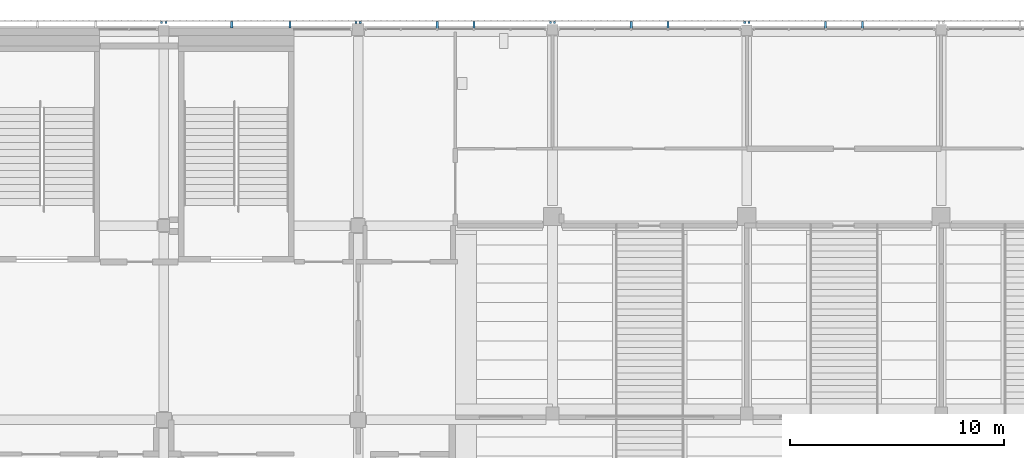
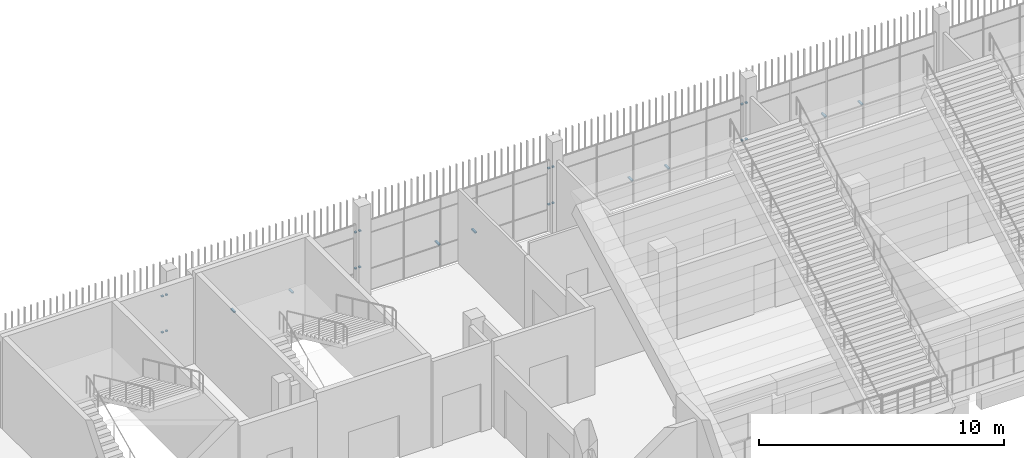
# One storey, part 106 of 139: 24 discrete accessories.
"""IFC4 building model written with IfcOpenShell, lengths in metres."""

import ifcopenshell
import ifcopenshell.guid

model = None  # the IFC model being written
_history = None  # IfcOwnerHistory: only IFC2X3 demands one
_inside = {}  # id of a spatial element -> (the spatial element, [elements in it])
_under = {}  # id of a project, library or spatial element -> (it, [spatial elements below it])
_declared = {}  # id of a project -> (the project, [libraries it declares])
_typed = {}  # id of a type object -> (the type object, [elements of that type])
_made_of = {}  # id of a material, layer set ... -> (it, [elements and type objects made of it])


def new_model(schema):
    """Start an empty IFC model of exactly this schema.

    Asked for "IFC4X3", IfcOpenShell would pick the latest addendum, in which some entities
    have other attributes; the version numbers below select the first issue.
    IFC2X3 requires an IfcOwnerHistory on every rooted entity: one is made here for all.
    """
    global model, _history
    if schema == "IFC4X3":
        model = ifcopenshell.file(schema_version=(4, 3, 0, 0))
    else:
        model = ifcopenshell.file(schema=schema)
    _inside.clear()
    _under.clear()
    _declared.clear()
    _typed.clear()
    _made_of.clear()
    _history = None
    if model.schema == "IFC2X3":
        org = make("IfcOrganization", Name="unknown")
        user = make(
            "IfcPersonAndOrganization",
            ThePerson=make("IfcPerson", FamilyName="unknown"),
            TheOrganization=org,
        )
        app = make(
            "IfcApplication",
            ApplicationDeveloper=org,
            Version="unknown",
            ApplicationFullName="unknown",
            ApplicationIdentifier="unknown",
        )
        _history = make(
            "IfcOwnerHistory",
            OwningUser=user,
            OwningApplication=app,
            ChangeAction="ADDED",
            CreationDate=0,
        )
    return model


def make(cls, **values):
    """One entity of the class cls with the attributes given. An attribute that is None is left unset."""
    return model.create_entity(
        cls, **{name: value for name, value in values.items() if value is not None}
    )


def rooted(cls, **values):
    """An entity with a GlobalId (a new one), such as an element, a storey or a relation."""
    return make(cls, GlobalId=ifcopenshell.guid.new(), OwnerHistory=_history, **values)


def si_unit(unit_type, name, prefix=None):
    """IfcSIUnit, for example si_unit("LENGTHUNIT", "METRE", prefix="MILLI")."""
    return make("IfcSIUnit", UnitType=unit_type, Prefix=prefix, Name=name)


def assignment(units):
    """IfcUnitAssignment: the units of a project."""
    return None if units is None else make("IfcUnitAssignment", Units=units)


def point(xyz):
    """IfcCartesianPoint."""
    return None if xyz is None else make("IfcCartesianPoint", Coordinates=xyz)


def direction(xyz):
    """IfcDirection."""
    return None if xyz is None else make("IfcDirection", DirectionRatios=xyz)


def frame(location, z_axis=None, x_axis=None):
    """IfcAxis2Placement3D, a coordinate frame: its origin and axes. An axis left out is left unset."""
    return make(
        "IfcAxis2Placement3D",
        Location=point(location),
        Axis=direction(z_axis),
        RefDirection=direction(x_axis),
    )


def frame_2d(location, x_axis=None):
    """IfcAxis2Placement2D, a coordinate frame in the plane: its origin and x axis."""
    return make(
        "IfcAxis2Placement2D", Location=point(location), RefDirection=direction(x_axis)
    )


def origin():
    """The frame at (0, 0, 0) with its axes left unset."""
    return frame((0.0, 0.0, 0.0))


def origin_2d():
    """The frame at (0, 0) in the plane with its x axis left unset."""
    return frame_2d((0.0, 0.0))


def place(relative_to, where):
    """IfcLocalPlacement: puts the frame where relative to a parent placement (None: the world)."""
    return make(
        "IfcLocalPlacement", PlacementRelTo=relative_to, RelativePlacement=where
    )


def context(
    kind, dimensions, precision=None, world=None, true_north=None, identifier=None
):
    """IfcGeometricRepresentationContext, for example the 3D "Model" context."""
    return make(
        "IfcGeometricRepresentationContext",
        ContextIdentifier=identifier,
        ContextType=kind,
        CoordinateSpaceDimension=dimensions,
        Precision=precision,
        WorldCoordinateSystem=world,
        TrueNorth=true_north,
    )


def subcontext(parent, identifier, kind, view, scale=None):
    """IfcGeometricRepresentationSubContext, for example "Body" below "Model"."""
    return make(
        "IfcGeometricRepresentationSubContext",
        ContextIdentifier=identifier,
        ContextType=kind,
        ParentContext=parent,
        TargetScale=scale,
        TargetView=view,
    )


def project(units=None, contexts=None):
    """IfcProject with its units and contexts."""
    return rooted(
        "IfcProject",
        Name="project",
        RepresentationContexts=contexts,
        UnitsInContext=assignment(units),
    )


def spatial(cls, under=None, at=None, **own):
    """A site, building, storey or space (cls), placed at a placement, below another one or the project."""
    s = rooted(cls, ObjectPlacement=at, **own)
    if under is not None:
        _under.setdefault(under.id(), (under, []))[1].append(s)
    return s


def profile(cls, at=None, kind="AREA", **sizes):
    """A parametric profile (cls). Its sizes go by their IFC names, for example OverallWidth=200.0."""
    return make(cls, ProfileType=kind, Position=at, **sizes)


def rectangle(**sizes):
    """IfcRectangleProfileDef."""
    return profile("IfcRectangleProfileDef", **sizes)


def extrude(swept, where, along, depth):
    """IfcExtrudedAreaSolid: the profile swept, set in the frame where, extruded along a direction by depth."""
    return make(
        "IfcExtrudedAreaSolid",
        SweptArea=swept,
        Position=where,
        ExtrudedDirection=direction(along),
        Depth=depth,
    )


def shape(context_of_items, identifier, shape_type, items):
    """IfcShapeRepresentation: the items that make up one representation, for example the "Body"."""
    return make(
        "IfcShapeRepresentation",
        ContextOfItems=context_of_items,
        RepresentationIdentifier=identifier,
        RepresentationType=shape_type,
        Items=items,
    )


def material(Name=None, Category=None):
    """IfcMaterial."""
    return make("IfcMaterial", Name=Name, Category=Category)


def made_of(thing, what):
    """Note that an element or type object is made of a material, layer set ...; save() writes the relation."""
    if what is not None:
        _made_of.setdefault(what.id(), (what, []))[1].append(thing)
    return thing


def type_object(cls, material=None, **own):
    """A type object (cls), such as IfcWallType, which elements share."""
    return made_of(rooted(cls, **own), material)


def element(
    cls,
    number,
    at=None,
    inside=None,
    cuts=None,
    type_object=None,
    material=None,
    context=None,
    identifier="Body",
    shape_type=None,
    held_by="IfcProductDefinitionShape",
    body=None,
    shapes=None,
    **own,
):
    """One element of the class cls, such as IfcWall. Its Tag is "e" and its number.

    at: its placement. inside: the storey or other place that contains it. cuts: it is an
    opening in that element (IfcRelVoidsElement). A single representation is given by context,
    identifier, shape_type and body (its items); several are given by shapes. held_by: the class
    of the entity that holds the representations. save() writes the other relations.
    """
    e = rooted(cls, Tag="e%d" % number, ObjectPlacement=at, **own)
    if body is not None:
        shapes = [shape(context, identifier, shape_type, body)]
    if shapes is not None:
        e.Representation = make(held_by, Representations=shapes)
    if inside is not None:
        _inside.setdefault(inside.id(), (inside, []))[1].append(e)
    if cuts is not None:
        rooted(
            "IfcRelVoidsElement", RelatingBuildingElement=cuts, RelatedOpeningElement=e
        )
    if type_object is not None:
        _typed.setdefault(type_object.id(), (type_object, []))[1].append(e)
    return made_of(e, material)


def aggregate(whole, parts):
    """IfcRelAggregates: a whole, such as a stair, and the parts it consists of."""
    return rooted("IfcRelAggregates", RelatingObject=whole, RelatedObjects=parts)


def save(model, path):
    """Write the relations noted so far, then the file.

    IfcRelAggregates (storeys below a building ...), IfcRelContainedInSpatialStructure (elements
    in a storey), IfcRelDefinesByType, IfcRelAssociatesMaterial and IfcRelDeclares: one each for
    every whole, place, type object, material and project.
    """
    for whole, parts in _under.values():
        aggregate(whole, parts)
    for where, things in _inside.values():
        rooted(
            "IfcRelContainedInSpatialStructure",
            RelatedElements=things,
            RelatingStructure=where,
        )
    for kind, things in _typed.values():
        rooted("IfcRelDefinesByType", RelatedObjects=things, RelatingType=kind)
    for what, things in _made_of.values():
        rooted("IfcRelAssociatesMaterial", RelatedObjects=things, RelatingMaterial=what)
    for by, libraries in _declared.values():
        rooted("IfcRelDeclares", RelatingContext=by, RelatedDefinitions=libraries)
    model.write(path)


model = new_model("IFC4")

# Units and contexts
model_context = context("Model", 3, precision=1e-05, world=origin(), true_north=direction((0.0, 1.0)))
body_context = subcontext(model_context, "Body", "Model", "MODEL_VIEW")
ifc_project = project(units=[si_unit("LENGTHUNIT", "METRE"), si_unit("AREAUNIT", "SQUARE_METRE"), si_unit("VOLUMEUNIT", "CUBIC_METRE"), si_unit("PLANEANGLEUNIT", "RADIAN"), si_unit("MASSUNIT", "GRAM", prefix="KILO")], contexts=[model_context])

# Site, building, storey
site_placement = place(None, origin())
site = spatial("IfcSite", under=ifc_project, at=site_placement, CompositionType="ELEMENT")
building_placement = place(site_placement, origin())
building = spatial("IfcBuilding", under=site, at=building_placement, Name="Shirokan Park Arena", CompositionType="ELEMENT")
storey_placement = place(building_placement, frame((0.0, 0.0, 15.469970703125)))
storey = spatial("IfcBuildingStorey", under=building, at=storey_placement, Name="L03", CompositionType="ELEMENT", Elevation=15.469970703125)

# Discrete accessories
ifc_material = material(Name="Steel S355", Category="steel")
discrete_accessory_type = type_object("IfcDiscreteAccessoryType", Name="Veil bracket 100x60", PredefinedType="BRACKET", material=ifc_material)
for number, where, z_axis, x_axis, name in (
    (1, (54.699951171875, 109.597412109375, 1.070068359375), (0.0, 0.0, 1.0), (-1.0, 0.0, 0.0), "Veil bracket north bay 10 L03 2"),
    (2, (54.699951171875, 109.597412109375, 2.8701171875), (0.0, 0.0, 1.0), (-1.0, 0.0, 0.0), "Veil bracket north bay 10 L03 4"),
):
    element("IfcDiscreteAccessory", number, at=place(storey_placement, frame(where, z_axis=z_axis, x_axis=x_axis)), inside=storey, type_object=discrete_accessory_type, Name=name, PredefinedType="BRACKET", context=body_context, shape_type="SweptSolid", body=[
        extrude(rectangle(XDim=0.10009765625, YDim=0.094970703125, at=origin_2d()), origin(), (0.0, 0.0, 1.0), 0.06005859375),
    ])
for number, where, z_axis, x_axis, name in (
    (3, (60.010009765625, 109.485107421875, 1.070068359375), (0.0, 0.0, 1.0), (-1.0, 0.0, 0.0), "Veil bracket north bay 10 L03 wall 1"),
    (4, (58.2900390625, 109.485107421875, 1.070068359375), (0.0, 0.0, 1.0), (-1.0, 0.0, 0.0), "Veil bracket north bay 10 L03 wall 2"),
):
    element("IfcDiscreteAccessory", number, at=place(storey_placement, frame(where, z_axis=z_axis, x_axis=x_axis)), inside=storey, type_object=discrete_accessory_type, Name=name, PredefinedType="BRACKET", context=body_context, shape_type="SweptSolid", body=[
        extrude(rectangle(XDim=0.10009765625, YDim=0.320068359375, at=origin_2d()), origin(), (0.0, 0.0, 1.0), 0.06005859375),
    ])
for number, where, z_axis, x_axis, name in (
    (5, (54.5, 109.597412109375, 1.070068359375), (0.0, 0.0, 1.0), (-1.0, 0.0, 0.0), "Veil bracket north bay 11 L03 1"),
    (6, (45.60009765625, 109.597412109375, 1.070068359375), (0.0, 0.0, 1.0), (-1.0, 0.0, 0.0), "Veil bracket north bay 11 L03 2"),
    (7, (54.5, 109.597412109375, 2.8701171875), (0.0, 0.0, 1.0), (-1.0, 0.0, 0.0), "Veil bracket north bay 11 L03 3"),
    (8, (45.60009765625, 109.597412109375, 2.8701171875), (0.0, 0.0, 1.0), (-1.0, 0.0, 0.0), "Veil bracket north bay 11 L03 4"),
):
    element("IfcDiscreteAccessory", number, at=place(storey_placement, frame(where, z_axis=z_axis, x_axis=x_axis)), inside=storey, type_object=discrete_accessory_type, Name=name, PredefinedType="BRACKET", context=body_context, shape_type="SweptSolid", body=[
        extrude(rectangle(XDim=0.10009765625, YDim=0.094970703125, at=origin_2d()), origin(), (0.0, 0.0, 1.0), 0.06005859375),
    ])
for number, where, z_axis, x_axis, name in (
    (9, (50.909912109375, 109.485107421875, 1.070068359375), (0.0, 0.0, 1.0), (-1.0, 0.0, 0.0), "Veil bracket north bay 11 L03 wall 1"),
    (10, (49.18994140625, 109.485107421875, 1.070068359375), (0.0, 0.0, 1.0), (-1.0, 0.0, 0.0), "Veil bracket north bay 11 L03 wall 2"),
):
    element("IfcDiscreteAccessory", number, at=place(storey_placement, frame(where, z_axis=z_axis, x_axis=x_axis)), inside=storey, type_object=discrete_accessory_type, Name=name, PredefinedType="BRACKET", context=body_context, shape_type="SweptSolid", body=[
        extrude(rectangle(XDim=0.10009765625, YDim=0.320068359375, at=origin_2d()), origin(), (0.0, 0.0, 1.0), 0.06005859375),
    ])
for number, where, z_axis, x_axis, name in (
    (11, (45.39990234375, 109.597412109375, 1.070068359375), (0.0, 0.0, 1.0), (-1.0, 0.0, 0.0), "Veil bracket north bay 12 L03 1"),
    (12, (36.5, 109.597412109375, 1.070068359375), (0.0, 0.0, 1.0), (-1.0, 0.0, 0.0), "Veil bracket north bay 12 L03 2"),
    (13, (45.39990234375, 109.597412109375, 2.8701171875), (0.0, 0.0, 1.0), (-1.0, 0.0, 0.0), "Veil bracket north bay 12 L03 3"),
    (14, (36.5, 109.597412109375, 2.8701171875), (0.0, 0.0, 1.0), (-1.0, 0.0, 0.0), "Veil bracket north bay 12 L03 4"),
):
    element("IfcDiscreteAccessory", number, at=place(storey_placement, frame(where, z_axis=z_axis, x_axis=x_axis)), inside=storey, type_object=discrete_accessory_type, Name=name, PredefinedType="BRACKET", context=body_context, shape_type="SweptSolid", body=[
        extrude(rectangle(XDim=0.10009765625, YDim=0.094970703125, at=origin_2d()), origin(), (0.0, 0.0, 1.0), 0.06005859375),
    ])
for number, where, z_axis, x_axis, name in (
    (15, (41.820068359375, 109.485107421875, 1.070068359375), (0.0, 0.0, 1.0), (-1.0, 0.0, 0.0), "Veil bracket north bay 12 L03 wall 1"),
    (16, (40.10498046875, 109.485107421875, 1.070068359375), (0.0, 0.0, 1.0), (-1.0, 0.0, 0.0), "Veil bracket north bay 12 L03 wall 2"),
):
    element("IfcDiscreteAccessory", number, at=place(storey_placement, frame(where, z_axis=z_axis, x_axis=x_axis)), inside=storey, type_object=discrete_accessory_type, Name=name, PredefinedType="BRACKET", context=body_context, shape_type="SweptSolid", body=[
        extrude(rectangle(XDim=0.10009765625, YDim=0.320068359375, at=origin_2d()), origin(), (0.0, 0.0, 1.0), 0.06005859375),
    ])
for number, where, z_axis, x_axis, name in (
    (17, (36.300048828125, 109.597412109375, 1.070068359375), (0.0, 0.0, 1.0), (-1.0, 0.0, 0.0), "Veil bracket north bay 13 L03 1"),
    (18, (27.39990234375, 109.597412109375, 1.070068359375), (0.0, 0.0, 1.0), (-1.0, 0.0, 0.0), "Veil bracket north bay 13 L03 2"),
    (19, (36.300048828125, 109.597412109375, 2.8701171875), (0.0, 0.0, 1.0), (-1.0, 0.0, 0.0), "Veil bracket north bay 13 L03 3"),
    (20, (27.39990234375, 109.597412109375, 2.8701171875), (0.0, 0.0, 1.0), (-1.0, 0.0, 0.0), "Veil bracket north bay 13 L03 4"),
):
    element("IfcDiscreteAccessory", number, at=place(storey_placement, frame(where, z_axis=z_axis, x_axis=x_axis)), inside=storey, type_object=discrete_accessory_type, Name=name, PredefinedType="BRACKET", context=body_context, shape_type="SweptSolid", body=[
        extrude(rectangle(XDim=0.10009765625, YDim=0.094970703125, at=origin_2d()), origin(), (0.0, 0.0, 1.0), 0.06005859375),
    ])
for number, where, z_axis, x_axis, name in (
    (21, (33.215087890625, 109.49755859375, 1.070068359375), (0.0, 0.0, 1.0), (-1.0, 0.0, 0.0), "Veil bracket north bay 13 L03 wall 1"),
    (22, (30.485107421875, 109.49755859375, 1.070068359375), (0.0, 0.0, 1.0), (-1.0, 0.0, 0.0), "Veil bracket north bay 13 L03 wall 2"),
):
    element("IfcDiscreteAccessory", number, at=place(storey_placement, frame(where, z_axis=z_axis, x_axis=x_axis)), inside=storey, type_object=discrete_accessory_type, Name=name, PredefinedType="BRACKET", context=body_context, shape_type="SweptSolid", body=[
        extrude(rectangle(XDim=0.10009765625, YDim=0.294921875, at=origin_2d()), origin(), (0.0, 0.0, 1.0), 0.06005859375),
    ])
for number, where, z_axis, x_axis, name in (
    (23, (27.199951171875, 109.597412109375, 1.070068359375), (0.0, 0.0, 1.0), (-1.0, 0.0, 0.0), "Veil bracket north bay 14 L03 1"),
    (24, (27.199951171875, 109.597412109375, 2.8701171875), (0.0, 0.0, 1.0), (-1.0, 0.0, 0.0), "Veil bracket north bay 14 L03 3"),
):
    element("IfcDiscreteAccessory", number, at=place(storey_placement, frame(where, z_axis=z_axis, x_axis=x_axis)), inside=storey, type_object=discrete_accessory_type, Name=name, PredefinedType="BRACKET", context=body_context, shape_type="SweptSolid", body=[
        extrude(rectangle(XDim=0.10009765625, YDim=0.094970703125, at=origin_2d()), origin(), (0.0, 0.0, 1.0), 0.06005859375),
    ])

save(model, "model.ifc")
